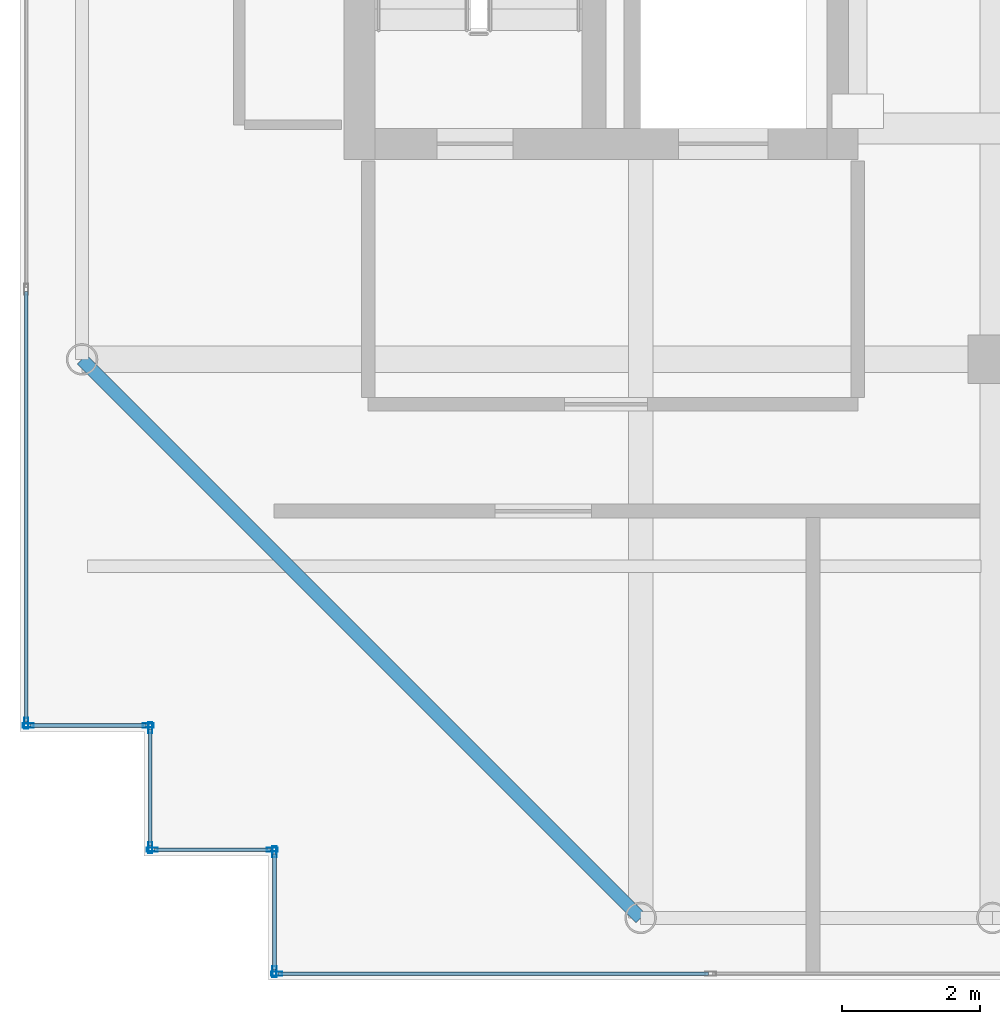
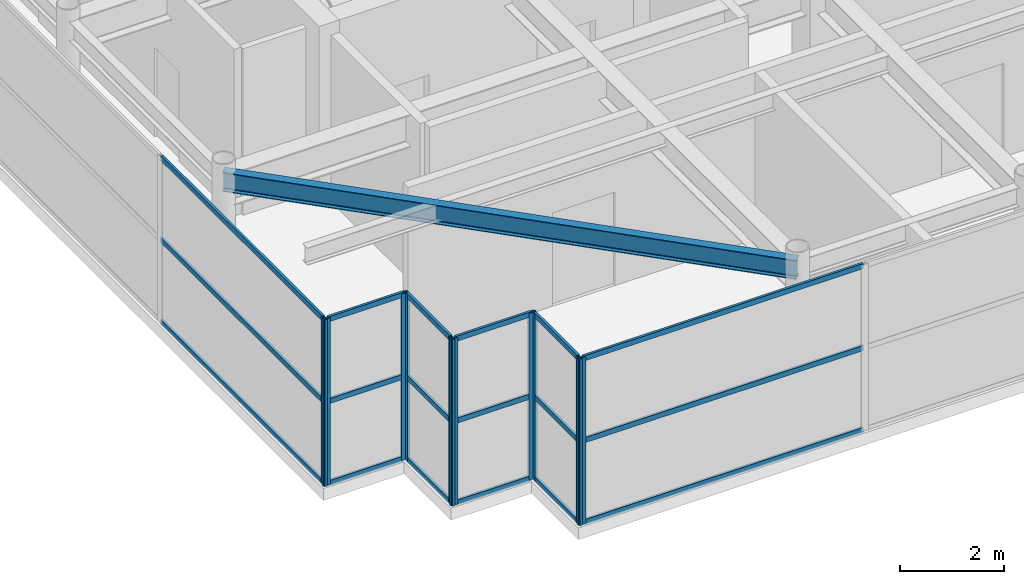
# One storey, part 2 of 32: 28 members, 1 beam, 6 elements without a shape of their own.
"""IFC4 building model written with IfcOpenShell, lengths in metres."""

from ifc_helpers import new_model, si_unit, direction, frame, origin, origin_2d, place, context, subcontext, project, spatial, hollow_rectangle, i_section, extrude, source, transform, mapped, material, layer, layer_set, material_profile, profile_set, type_object, element, aggregate, save


model = new_model("IFC4")

# Units and contexts
model_context = context("Model", 3, precision=1e-05, world=origin(), true_north=direction((0.0, 1.0)))
body_context = subcontext(model_context, "Body", "Model", "MODEL_VIEW")
ifc_project = project(units=[si_unit("LENGTHUNIT", "METRE"), si_unit("AREAUNIT", "SQUARE_METRE"), si_unit("VOLUMEUNIT", "CUBIC_METRE"), si_unit("PLANEANGLEUNIT", "RADIAN"), si_unit("MASSUNIT", "GRAM", prefix="KILO")], contexts=[model_context])

# Site, building, storey
site_placement = place(None, origin())
site = spatial("IfcSite", under=ifc_project, at=site_placement, CompositionType="ELEMENT")
building_placement = place(site_placement, origin())
building = spatial("IfcBuilding", under=site, at=building_placement, Name="Khoralis Quay Care Tower", CompositionType="ELEMENT")
storey_placement = place(building_placement, frame((0.0, 0.0, 310.5)))
storey = spatial("IfcBuildingStorey", under=building, at=storey_placement, Name="L81", CompositionType="ELEMENT", Elevation=310.5)

# Beam
ifc_material_1 = material(Name="Steel S355", Category="steel")
ifc_material_profile_1 = material_profile(ifc_material_1, i_section(OverallWidth=0.18994140625, OverallDepth=0.449951171875, WebThickness=0.009521484375, FlangeThickness=0.0146484375, FilletRadius=0.02099609375, at=origin_2d()), Name="Steel S355")
ifc_profile_set_1 = profile_set([ifc_material_profile_1], Name="Steel S355")
beam_type = type_object("IfcBeamType", Name="BM-IPE450", PredefinedType="SPANDREL", material=ifc_profile_set_1)
shared_shape_1 = source(origin(), body_context, "Body", "SweptSolid", [
    extrude(i_section(OverallWidth=0.18994140625, OverallDepth=0.449951171875, WebThickness=0.009521484375, FlangeThickness=0.0146484375, FilletRadius=0.02099609375, at=origin_2d()), origin(), (0.0, 0.0, 1.0), 11.455322265625),
])
beam_placement = place(storey_placement, frame((12.0, 3.89990234375, 3.695068359375), z_axis=(-0.707106781187, 0.707106781187, 0.0), x_axis=(-0.707106781187, -0.707106781187, 0.0)))
element("IfcBeam", 1, at=beam_placement, inside=storey, type_object=beam_type, Name="BM-TCR-L81-17", PredefinedType="SPANDREL", context=body_context, shape_type="MappedRepresentation", body=[
    mapped(shared_shape_1, transform((0.0, 0.0, 0.0), scale=1.0)),
])

# Curtain wall, members
ifc_material_2 = material(Name="Pale anodised aluminium", Category="aluminium")
ifc_layer = layer(ifc_material_2, 0.199951171875)
ifc_layer_set = layer_set([ifc_layer], Name="Pale anodised aluminium")
curtain_wall_type = type_object("IfcCurtainWallType", Name="CW-SYS-LANTERN", PredefinedType="NOTDEFINED", material=ifc_layer_set)
curtain_wall_1_placement = place(storey_placement, origin())
curtain_wall_1 = element("IfcCurtainWall", 2, at=curtain_wall_1_placement, inside=storey, type_object=curtain_wall_type, Name="L81 Unitised Curtain Wall CW-LN-L81-01", PredefinedType="NOTDEFINED")
ifc_material_profile_2 = material_profile(ifc_material_2, hollow_rectangle(XDim=0.054931640625, YDim=0.1201171875, WallThickness=0.00390625, at=origin_2d()), Name="Pale anodised aluminium")
ifc_profile_set_2 = profile_set([ifc_material_profile_2], Name="Pale anodised aluminium")
member_type_1 = type_object("IfcMemberType", Name="CW-TRN-120", PredefinedType="USERDEFINED", material=ifc_profile_set_2)
shared_shape_2 = source(origin(), body_context, "Body", "SweptSolid", [
    extrude(hollow_rectangle(XDim=0.054931640625, YDim=0.1201171875, WallThickness=0.00390625, at=origin_2d()), origin(), (0.0, 0.0, 1.0), 6.23388671875),
])
member_1_placement = place(storey_placement, frame((6.75, 3.090087890625, 0.030029296875), z_axis=(1.0, 0.0, 0.0), x_axis=(0.0, 1.0, 0.0)))
member_1 = element("IfcMember", 3, at=member_1_placement, type_object=member_type_1, Name="CW5 transom 1.1", ObjectType="TRANSOM", PredefinedType="USERDEFINED", context=body_context, shape_type="MappedRepresentation", body=[
    mapped(shared_shape_2, transform((0.0, 0.0, 0.0), scale=1.0)),
])
member_2_placement = place(storey_placement, frame((6.75, 3.090087890625, 1.9599609375), z_axis=(1.0, 0.0, 0.0), x_axis=(0.0, 1.0, 0.0)))
member_2 = element("IfcMember", 4, at=member_2_placement, type_object=member_type_1, Name="CW5 transom 1.2", ObjectType="TRANSOM", PredefinedType="USERDEFINED", context=body_context, shape_type="MappedRepresentation", body=[
    mapped(shared_shape_2, transform((0.0, 0.0, 0.0), scale=1.0)),
])
member_3_placement = place(storey_placement, frame((6.75, 3.090087890625, 3.889892578125), z_axis=(1.0, 0.0, 0.0), x_axis=(0.0, 1.0, 0.0)))
member_3 = element("IfcMember", 5, at=member_3_placement, type_object=member_type_1, Name="CW5 transom 1.3", ObjectType="TRANSOM", PredefinedType="USERDEFINED", context=body_context, shape_type="MappedRepresentation", body=[
    mapped(shared_shape_2, transform((0.0, 0.0, 0.0), scale=1.0)),
])

curtain_wall_2_placement = place(storey_placement, origin())
curtain_wall_2 = element("IfcCurtainWall", 6, at=curtain_wall_2_placement, inside=storey, type_object=curtain_wall_type, Name="L81 Unitised Curtain Wall CW-LN-L81-16", PredefinedType="NOTDEFINED")
member_4_placement = place(storey_placement, frame((3.090087890625, 12.98388671875, 0.030029296875), z_axis=(0.0, -1.0, 0.0), x_axis=(1.0, 0.0, 0.0)))
member_4 = element("IfcMember", 7, at=member_4_placement, type_object=member_type_1, Name="CW5 transom 5.1", ObjectType="TRANSOM", PredefinedType="USERDEFINED", context=body_context, shape_type="MappedRepresentation", body=[
    mapped(shared_shape_2, transform((0.0, 0.0, 0.0), scale=1.0)),
])
member_5_placement = place(storey_placement, frame((3.090087890625, 12.98388671875, 1.9599609375), z_axis=(0.0, -1.0, 0.0), x_axis=(1.0, 0.0, 0.0)))
member_5 = element("IfcMember", 8, at=member_5_placement, type_object=member_type_1, Name="CW5 transom 5.2", ObjectType="TRANSOM", PredefinedType="USERDEFINED", context=body_context, shape_type="MappedRepresentation", body=[
    mapped(shared_shape_2, transform((0.0, 0.0, 0.0), scale=1.0)),
])
member_6_placement = place(storey_placement, frame((3.090087890625, 12.98388671875, 3.889892578125), z_axis=(0.0, -1.0, 0.0), x_axis=(1.0, 0.0, 0.0)))
member_6 = element("IfcMember", 9, at=member_6_placement, type_object=member_type_1, Name="CW5 transom 5.3", ObjectType="TRANSOM", PredefinedType="USERDEFINED", context=body_context, shape_type="MappedRepresentation", body=[
    mapped(shared_shape_2, transform((0.0, 0.0, 0.0), scale=1.0)),
])

curtain_wall_3_placement = place(storey_placement, origin())
curtain_wall_3 = element("IfcCurtainWall", 10, at=curtain_wall_3_placement, inside=storey, type_object=curtain_wall_type, Name="L81 Unitised Curtain Wall CW-LN-L81-17", PredefinedType="NOTDEFINED")
shared_shape_3 = source(origin(), body_context, "Body", "SweptSolid", [
    extrude(hollow_rectangle(XDim=0.054931640625, YDim=0.1201171875, WallThickness=0.00390625, at=origin_2d()), origin(), (0.0, 0.0, 1.0), 1.68017578125),
])
member_7_placement = place(storey_placement, frame((3.14990234375, 6.68994140625, 0.030029296875), z_axis=(1.0, 0.0, 0.0), x_axis=(0.0, 1.0, 0.0)))
member_7 = element("IfcMember", 11, at=member_7_placement, type_object=member_type_1, Name="CW5 transom 1.1", ObjectType="TRANSOM", PredefinedType="USERDEFINED", context=body_context, shape_type="MappedRepresentation", body=[
    mapped(shared_shape_3, transform((0.0, 0.0, 0.0), scale=1.0)),
])
member_8_placement = place(storey_placement, frame((3.14990234375, 6.68994140625, 1.9599609375), z_axis=(1.0, 0.0, 0.0), x_axis=(0.0, 1.0, 0.0)))
member_8 = element("IfcMember", 12, at=member_8_placement, type_object=member_type_1, Name="CW5 transom 1.2", ObjectType="TRANSOM", PredefinedType="USERDEFINED", context=body_context, shape_type="MappedRepresentation", body=[
    mapped(shared_shape_3, transform((0.0, 0.0, 0.0), scale=1.0)),
])
member_9_placement = place(storey_placement, frame((3.14990234375, 6.68994140625, 3.889892578125), z_axis=(1.0, 0.0, 0.0), x_axis=(0.0, 1.0, 0.0)))
member_9 = element("IfcMember", 13, at=member_9_placement, type_object=member_type_1, Name="CW5 transom 1.3", ObjectType="TRANSOM", PredefinedType="USERDEFINED", context=body_context, shape_type="MappedRepresentation", body=[
    mapped(shared_shape_3, transform((0.0, 0.0, 0.0), scale=1.0)),
])

curtain_wall_4_placement = place(storey_placement, origin())
curtain_wall_4 = element("IfcCurtainWall", 14, at=curtain_wall_4_placement, inside=storey, type_object=curtain_wall_type, Name="L81 Unitised Curtain Wall CW-LN-L81-20", PredefinedType="NOTDEFINED")
member_10_placement = place(storey_placement, frame((6.68994140625, 4.830078125, 0.030029296875), z_axis=(0.0, -1.0, 0.0), x_axis=(1.0, 0.0, 0.0)))
member_10 = element("IfcMember", 15, at=member_10_placement, type_object=member_type_1, Name="CW5 transom 1.1", ObjectType="TRANSOM", PredefinedType="USERDEFINED", context=body_context, shape_type="MappedRepresentation", body=[
    mapped(shared_shape_3, transform((0.0, 0.0, 0.0), scale=1.0)),
])
member_11_placement = place(storey_placement, frame((6.68994140625, 4.830078125, 1.9599609375), z_axis=(0.0, -1.0, 0.0), x_axis=(1.0, 0.0, 0.0)))
member_11 = element("IfcMember", 16, at=member_11_placement, type_object=member_type_1, Name="CW5 transom 1.2", ObjectType="TRANSOM", PredefinedType="USERDEFINED", context=body_context, shape_type="MappedRepresentation", body=[
    mapped(shared_shape_3, transform((0.0, 0.0, 0.0), scale=1.0)),
])
member_12_placement = place(storey_placement, frame((6.68994140625, 4.830078125, 3.889892578125), z_axis=(0.0, -1.0, 0.0), x_axis=(1.0, 0.0, 0.0)))
member_12 = element("IfcMember", 17, at=member_12_placement, type_object=member_type_1, Name="CW5 transom 1.3", ObjectType="TRANSOM", PredefinedType="USERDEFINED", context=body_context, shape_type="MappedRepresentation", body=[
    mapped(shared_shape_3, transform((0.0, 0.0, 0.0), scale=1.0)),
])

curtain_wall_5_placement = place(storey_placement, origin())
curtain_wall_5 = element("IfcCurtainWall", 18, at=curtain_wall_5_placement, inside=storey, type_object=curtain_wall_type, Name="L81 Unitised Curtain Wall CW-LN-L81-18", PredefinedType="NOTDEFINED")
shared_shape_4 = source(origin(), body_context, "Body", "SweptSolid", [
    extrude(hollow_rectangle(XDim=0.054931640625, YDim=0.1201171875, WallThickness=0.00390625, at=origin_2d()), origin(), (0.0, 0.0, 1.0), 1.679931640625),
])
member_13_placement = place(storey_placement, frame((4.889892578125, 6.6298828125, 0.030029296875), z_axis=(0.0, -1.0, 0.0), x_axis=(1.0, 0.0, 0.0)))
member_13 = element("IfcMember", 19, at=member_13_placement, type_object=member_type_1, Name="CW5 transom 1.1", ObjectType="TRANSOM", PredefinedType="USERDEFINED", context=body_context, shape_type="MappedRepresentation", body=[
    mapped(shared_shape_4, transform((0.0, 0.0, 0.0), scale=1.0)),
])
member_14_placement = place(storey_placement, frame((4.889892578125, 6.6298828125, 1.9599609375), z_axis=(0.0, -1.0, 0.0), x_axis=(1.0, 0.0, 0.0)))
member_14 = element("IfcMember", 20, at=member_14_placement, type_object=member_type_1, Name="CW5 transom 1.2", ObjectType="TRANSOM", PredefinedType="USERDEFINED", context=body_context, shape_type="MappedRepresentation", body=[
    mapped(shared_shape_4, transform((0.0, 0.0, 0.0), scale=1.0)),
])
member_15_placement = place(storey_placement, frame((4.889892578125, 6.6298828125, 3.889892578125), z_axis=(0.0, -1.0, 0.0), x_axis=(1.0, 0.0, 0.0)))
member_15 = element("IfcMember", 21, at=member_15_placement, type_object=member_type_1, Name="CW5 transom 1.3", ObjectType="TRANSOM", PredefinedType="USERDEFINED", context=body_context, shape_type="MappedRepresentation", body=[
    mapped(shared_shape_4, transform((0.0, 0.0, 0.0), scale=1.0)),
])

curtain_wall_6_placement = place(storey_placement, origin())
curtain_wall_6 = element("IfcCurtainWall", 22, at=curtain_wall_6_placement, inside=storey, type_object=curtain_wall_type, Name="L81 Unitised Curtain Wall CW-LN-L81-19", PredefinedType="NOTDEFINED")
member_16_placement = place(storey_placement, frame((4.949951171875, 4.889892578125, 0.030029296875), z_axis=(1.0, 0.0, 0.0), x_axis=(0.0, 1.0, 0.0)))
member_16 = element("IfcMember", 23, at=member_16_placement, type_object=member_type_1, Name="CW5 transom 1.1", ObjectType="TRANSOM", PredefinedType="USERDEFINED", context=body_context, shape_type="MappedRepresentation", body=[
    mapped(shared_shape_4, transform((0.0, 0.0, 0.0), scale=1.0)),
])
member_17_placement = place(storey_placement, frame((4.949951171875, 4.889892578125, 1.9599609375), z_axis=(1.0, 0.0, 0.0), x_axis=(0.0, 1.0, 0.0)))
member_17 = element("IfcMember", 24, at=member_17_placement, type_object=member_type_1, Name="CW5 transom 1.2", ObjectType="TRANSOM", PredefinedType="USERDEFINED", context=body_context, shape_type="MappedRepresentation", body=[
    mapped(shared_shape_4, transform((0.0, 0.0, 0.0), scale=1.0)),
])
member_18_placement = place(storey_placement, frame((4.949951171875, 4.889892578125, 3.889892578125), z_axis=(1.0, 0.0, 0.0), x_axis=(0.0, 1.0, 0.0)))
member_18 = element("IfcMember", 25, at=member_18_placement, type_object=member_type_1, Name="CW5 transom 1.3", ObjectType="TRANSOM", PredefinedType="USERDEFINED", context=body_context, shape_type="MappedRepresentation", body=[
    mapped(shared_shape_4, transform((0.0, 0.0, 0.0), scale=1.0)),
])

# Member
ifc_material_profile_3 = material_profile(ifc_material_2, hollow_rectangle(XDim=0.06005859375, YDim=0.159912109375, WallThickness=0.00390625, at=origin_2d()), Name="Pale anodised aluminium")
ifc_profile_set_3 = profile_set([ifc_material_profile_3], Name="Pale anodised aluminium")
member_type_2 = type_object("IfcMemberType", Name="CW-MUL-160", PredefinedType="MULLION", material=ifc_profile_set_3)
shared_shape_5 = source(origin(), body_context, "Body", "SweptSolid", [
    extrude(hollow_rectangle(XDim=0.06005859375, YDim=0.159912109375, WallThickness=0.00390625, at=origin_2d()), origin(), (0.0, 0.0, 1.0), 3.919921875),
])
member_19_placement = place(storey_placement, frame((6.719970703125, 3.090087890625, 0.0), z_axis=(0.0, 0.0, 1.0), x_axis=(0.0, 1.0, 0.0)))
member_19 = element("IfcMember", 26, at=member_19_placement, type_object=member_type_2, Name="CW5 mullion 1", PredefinedType="MULLION", context=body_context, shape_type="MappedRepresentation", body=[
    mapped(shared_shape_5, transform((0.0, 0.0, 0.0), scale=1.0)),
])

aggregate(curtain_wall_1, [member_19, member_1, member_2, member_3])

member_20_placement = place(storey_placement, frame((3.090087890625, 6.719970703125, 0.0), z_axis=(0.0, 0.0, 1.0), x_axis=(1.0, 0.0, 0.0)))
member_20 = element("IfcMember", 27, at=member_20_placement, type_object=member_type_2, Name="CW5 mullion 6", PredefinedType="MULLION", context=body_context, shape_type="MappedRepresentation", body=[
    mapped(shared_shape_5, transform((0.0, 0.0, 0.0), scale=1.0)),
])

aggregate(curtain_wall_2, [member_20, member_4, member_5, member_6])

member_21_placement = place(storey_placement, frame((3.1201171875, 6.68994140625, 0.0), z_axis=(0.0, 0.0, 1.0), x_axis=(0.0, 1.0, 0.0)))
member_21 = element("IfcMember", 28, at=member_21_placement, type_object=member_type_2, Name="CW5 mullion 1", PredefinedType="MULLION", context=body_context, shape_type="MappedRepresentation", body=[
    mapped(shared_shape_5, transform((0.0, 0.0, 0.0), scale=1.0)),
])

member_22_placement = place(storey_placement, frame((4.860107421875, 6.68994140625, 0.0), z_axis=(0.0, 0.0, 1.0), x_axis=(0.0, 1.0, 0.0)))
member_22 = element("IfcMember", 29, at=member_22_placement, type_object=member_type_2, Name="CW5 mullion 2", PredefinedType="MULLION", context=body_context, shape_type="MappedRepresentation", body=[
    mapped(shared_shape_5, transform((0.0, 0.0, 0.0), scale=1.0)),
])

aggregate(curtain_wall_3, [member_21, member_22, member_7, member_8, member_9])

member_23_placement = place(storey_placement, frame((4.889892578125, 6.659912109375, 0.0), z_axis=(0.0, 0.0, 1.0), x_axis=(1.0, 0.0, 0.0)))
member_23 = element("IfcMember", 30, at=member_23_placement, type_object=member_type_2, Name="CW5 mullion 1", PredefinedType="MULLION", context=body_context, shape_type="MappedRepresentation", body=[
    mapped(shared_shape_5, transform((0.0, 0.0, 0.0), scale=1.0)),
])

member_24_placement = place(storey_placement, frame((4.889892578125, 4.919921875, 0.0), z_axis=(0.0, 0.0, 1.0), x_axis=(1.0, 0.0, 0.0)))
member_24 = element("IfcMember", 31, at=member_24_placement, type_object=member_type_2, Name="CW5 mullion 2", PredefinedType="MULLION", context=body_context, shape_type="MappedRepresentation", body=[
    mapped(shared_shape_5, transform((0.0, 0.0, 0.0), scale=1.0)),
])

aggregate(curtain_wall_5, [member_23, member_24, member_13, member_14, member_15])

member_25_placement = place(storey_placement, frame((4.919921875, 4.889892578125, 0.0), z_axis=(0.0, 0.0, 1.0), x_axis=(0.0, 1.0, 0.0)))
member_25 = element("IfcMember", 32, at=member_25_placement, type_object=member_type_2, Name="CW5 mullion 1", PredefinedType="MULLION", context=body_context, shape_type="MappedRepresentation", body=[
    mapped(shared_shape_5, transform((0.0, 0.0, 0.0), scale=1.0)),
])

member_26_placement = place(storey_placement, frame((6.659912109375, 4.889892578125, 0.0), z_axis=(0.0, 0.0, 1.0), x_axis=(0.0, 1.0, 0.0)))
member_26 = element("IfcMember", 33, at=member_26_placement, type_object=member_type_2, Name="CW5 mullion 2", PredefinedType="MULLION", context=body_context, shape_type="MappedRepresentation", body=[
    mapped(shared_shape_5, transform((0.0, 0.0, 0.0), scale=1.0)),
])

aggregate(curtain_wall_6, [member_25, member_26, member_16, member_17, member_18])

member_27_placement = place(storey_placement, frame((6.68994140625, 4.860107421875, 0.0), z_axis=(0.0, 0.0, 1.0), x_axis=(1.0, 0.0, 0.0)))
member_27 = element("IfcMember", 34, at=member_27_placement, type_object=member_type_2, Name="CW5 mullion 1", PredefinedType="MULLION", context=body_context, shape_type="MappedRepresentation", body=[
    mapped(shared_shape_5, transform((0.0, 0.0, 0.0), scale=1.0)),
])

member_28_placement = place(storey_placement, frame((6.68994140625, 3.1201171875, 0.0), z_axis=(0.0, 0.0, 1.0), x_axis=(1.0, 0.0, 0.0)))
member_28 = element("IfcMember", 35, at=member_28_placement, type_object=member_type_2, Name="CW5 mullion 2", PredefinedType="MULLION", context=body_context, shape_type="MappedRepresentation", body=[
    mapped(shared_shape_5, transform((0.0, 0.0, 0.0), scale=1.0)),
])

aggregate(curtain_wall_4, [member_27, member_28, member_10, member_11, member_12])

save(model, "model.ifc")
